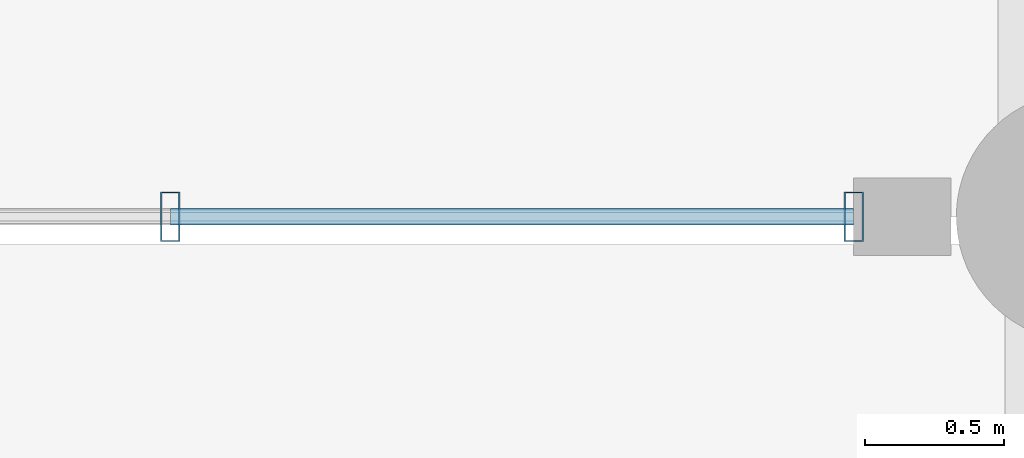
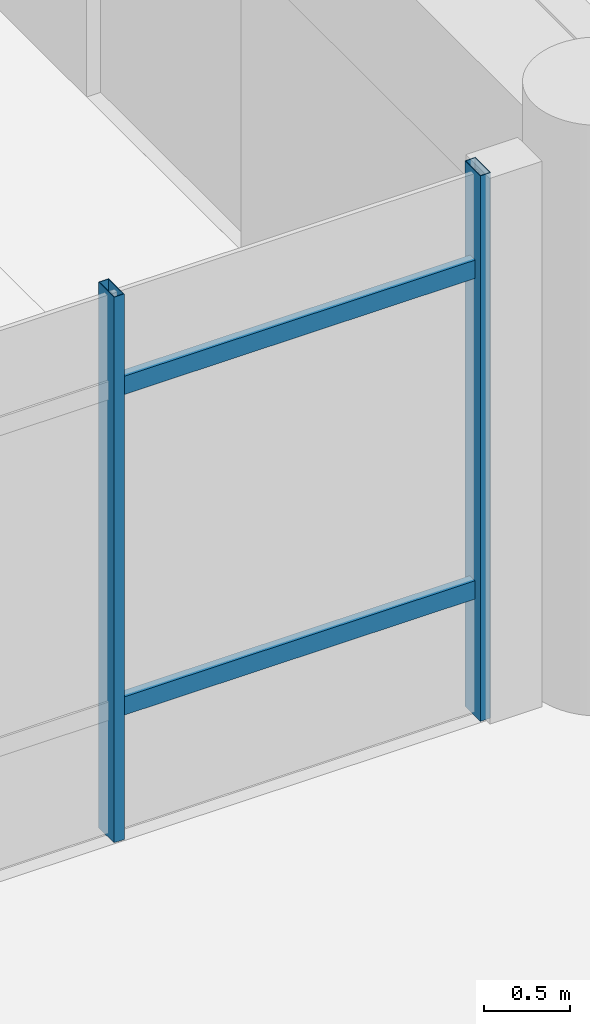
# One storey, part 24 of 109: 4 members, 1 element without a shape of its own.
"""IFC4 building model written with IfcOpenShell, lengths in metres."""

from ifc_helpers import new_model, si_unit, direction, frame, origin, origin_2d, place, context, subcontext, project, spatial, hollow_rectangle, extrude, material, material_profile, profile_set, type_object, element, aggregate, save


model = new_model("IFC4")

# Units and contexts
model_context = context("Model", 3, precision=1e-05, world=origin(), true_north=direction((0.0, 1.0)))
body_context = subcontext(model_context, "Body", "Model", "MODEL_VIEW")
ifc_project = project(units=[si_unit("LENGTHUNIT", "METRE"), si_unit("AREAUNIT", "SQUARE_METRE"), si_unit("VOLUMEUNIT", "CUBIC_METRE"), si_unit("PLANEANGLEUNIT", "RADIAN"), si_unit("MASSUNIT", "GRAM", prefix="KILO")], contexts=[model_context])

# Site, building, storey
site_placement = place(None, origin())
site = spatial("IfcSite", under=ifc_project, at=site_placement, CompositionType="ELEMENT")
building_placement = place(site_placement, origin())
building = spatial("IfcBuilding", under=site, at=building_placement, Name="Ologun Quay Terminus", CompositionType="ELEMENT")
storey_placement = place(building_placement, origin())
storey = spatial("IfcBuildingStorey", under=building, at=storey_placement, Name="L00", CompositionType="ELEMENT", Elevation=0.0)

# Curtain wall, members
ifc_material_1 = material(Name="Aluminium 6063-T6", Category="aluminium")
curtain_wall_type = type_object("IfcCurtainWallType", Name="Forecourt Arcade Curtain Wall 10700x3750", PredefinedType="USERDEFINED", material=ifc_material_1)
curtain_wall_placement = place(storey_placement, origin())
curtain_wall = element("IfcCurtainWall", 1, at=curtain_wall_placement, inside=storey, type_object=curtain_wall_type, Name="CW-03 Curtain Wall CW-L00-006", ObjectType="UNITISED CURTAIN WALL", PredefinedType="USERDEFINED")
ifc_material_2 = material(Name="Aluminium 6063-T6", Category="aluminium")
ifc_material_profile_1 = material_profile(ifc_material_2, hollow_rectangle(XDim=0.070068359375, YDim=0.179931640625, WallThickness=0.0048828125, at=origin_2d()), Name="ALU 180x70x5")
ifc_profile_set_1 = profile_set([ifc_material_profile_1], Name="Aluminium 6063-T6")
member_type_1 = type_object("IfcMemberType", Name="Curtain Wall Heavy Mullion 180x70", PredefinedType="MULLION", material=ifc_profile_set_1)
member_1_placement = place(storey_placement, frame((111.715087890625, 8.0, 0.0), z_axis=(0.0, 0.0, 1.0), x_axis=(1.0, 0.0, 0.0)))
member_1 = element("IfcMember", 2, at=member_1_placement, type_object=member_type_1, Name="CW-L00-006 Mullion 4", PredefinedType="MULLION", context=body_context, shape_type="SweptSolid", body=[
    extrude(hollow_rectangle(XDim=0.070068359375, YDim=0.179931640625, WallThickness=0.0048828125, at=origin_2d()), origin(), (0.0, 0.0, 1.0), 3.8798828125),
])
member_2_placement = place(storey_placement, frame((114.179931640625, 8.0, 0.0), z_axis=(0.0, 0.0, 1.0), x_axis=(1.0, 0.0, 0.0)))
member_2 = element("IfcMember", 3, at=member_2_placement, type_object=member_type_1, Name="CW-L00-006 Mullion 5", PredefinedType="MULLION", context=body_context, shape_type="SweptSolid", body=[
    extrude(hollow_rectangle(XDim=0.070068359375, YDim=0.179931640625, WallThickness=0.0048828125, at=origin_2d()), origin(), (0.0, 0.0, 1.0), 3.8798828125),
])
ifc_material_3 = material(Name="Aluminium 6063-T6", Category="aluminium")
ifc_material_profile_2 = material_profile(ifc_material_3, hollow_rectangle(XDim=0.06005859375, YDim=0.1298828125, WallThickness=0.00390625, at=origin_2d()), Name="ALU 130x60x4")
ifc_profile_set_2 = profile_set([ifc_material_profile_2], Name="Aluminium 6063-T6")
member_type_2 = type_object("IfcMemberType", Name="Curtain Wall Heavy Transom 130x60", PredefinedType="USERDEFINED", material=ifc_profile_set_2)
member_3_placement = place(storey_placement, frame((111.715087890625, 8.0, 0.89990234375), z_axis=(1.0, 0.0, 0.0), x_axis=(0.0, 1.0, 0.0)))
member_3 = element("IfcMember", 4, at=member_3_placement, type_object=member_type_2, Name="CW-L00-006 Transom B4-1", ObjectType="TRANSOM", PredefinedType="USERDEFINED", context=body_context, shape_type="SweptSolid", body=[
    extrude(hollow_rectangle(XDim=0.06005859375, YDim=0.1298828125, WallThickness=0.00390625, at=origin_2d()), origin(), (0.0, 0.0, 1.0), 2.46484375),
])
member_4_placement = place(storey_placement, frame((111.715087890625, 8.0, 3.179931640625), z_axis=(1.0, 0.0, 0.0), x_axis=(0.0, 1.0, 0.0)))
member_4 = element("IfcMember", 5, at=member_4_placement, type_object=member_type_2, Name="CW-L00-006 Transom B4-2", ObjectType="TRANSOM", PredefinedType="USERDEFINED", context=body_context, shape_type="SweptSolid", body=[
    extrude(hollow_rectangle(XDim=0.06005859375, YDim=0.1298828125, WallThickness=0.00390625, at=origin_2d()), origin(), (0.0, 0.0, 1.0), 2.46484375),
])
aggregate(curtain_wall, [member_1, member_2, member_3, member_4])

save(model, "model.ifc")
